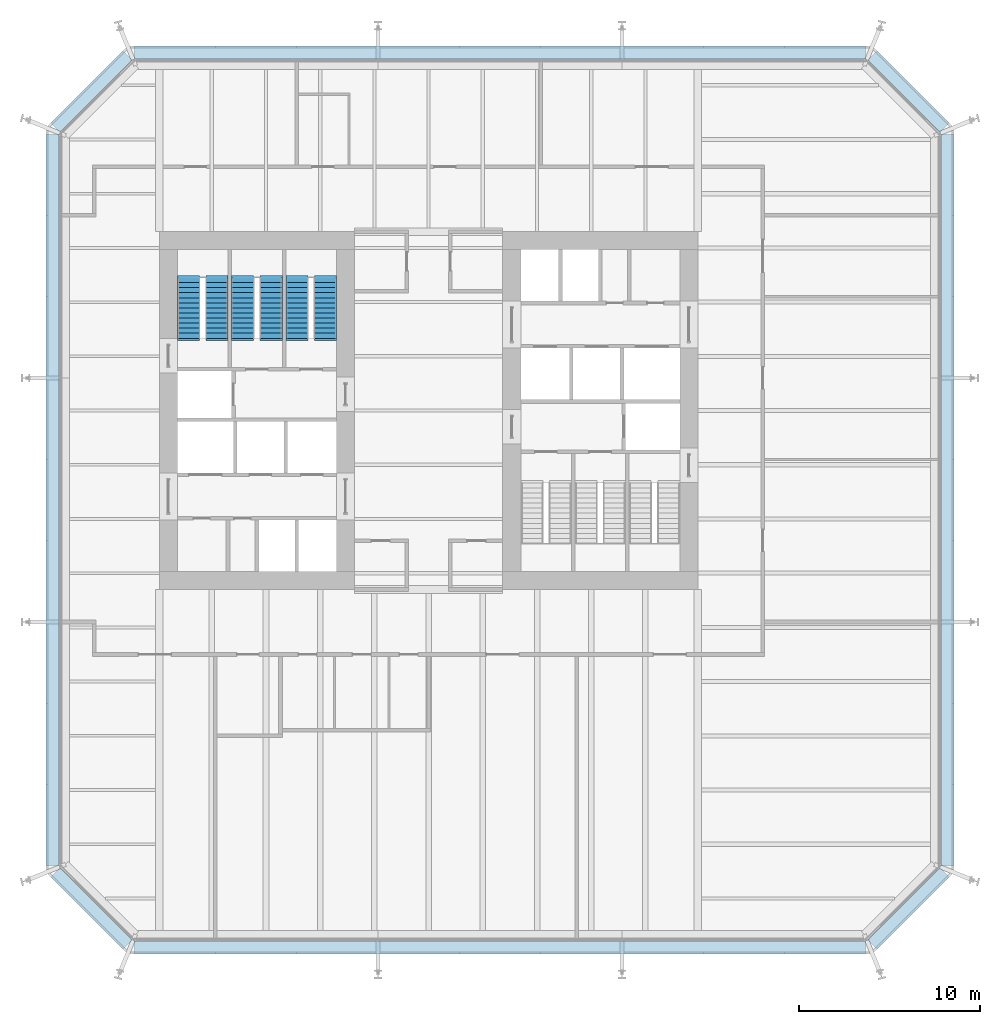
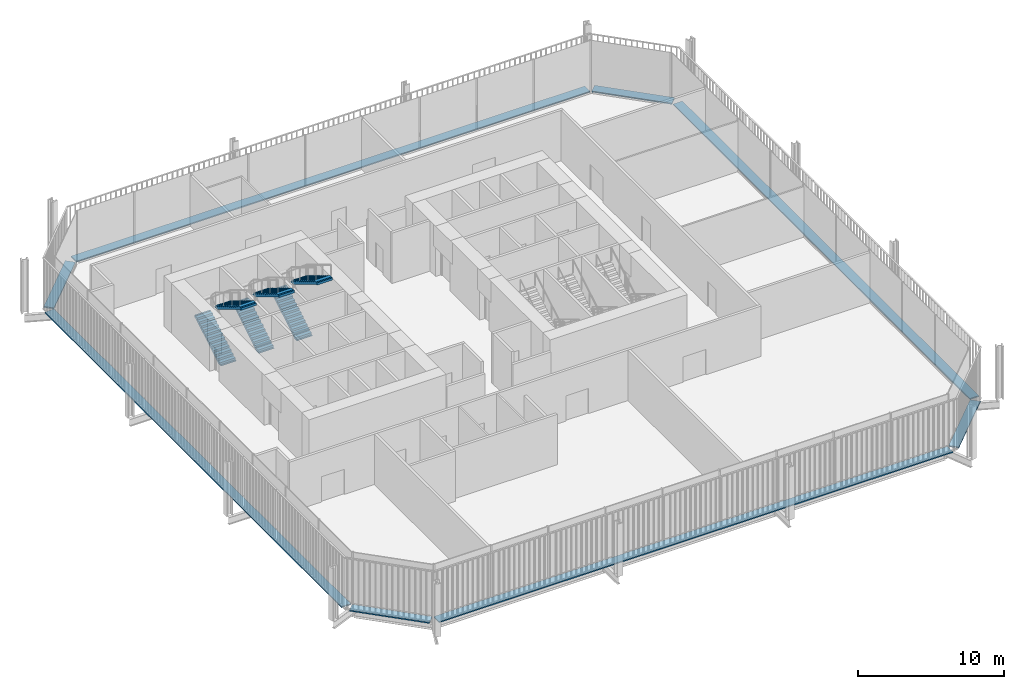
# One storey, part 19 of 20: 8 discrete accessories, 6 stair flights, 3 elements without a shape of their own.
"""IFC4 building model written with IfcOpenShell, lengths in metres."""

from ifc_helpers import new_model, si_unit, direction, frame, origin, origin_2d, place, context, subcontext, project, spatial, polyline, rectangle, outline, extrude, material, type_object, element, aggregate, save


model = new_model("IFC4")

# Units and contexts
model_context = context("Model", 3, precision=1e-05, world=origin(), true_north=direction((0.0, 1.0)))
body_context = subcontext(model_context, "Body", "Model", "MODEL_VIEW")
ifc_project = project(units=[si_unit("LENGTHUNIT", "METRE"), si_unit("AREAUNIT", "SQUARE_METRE"), si_unit("VOLUMEUNIT", "CUBIC_METRE"), si_unit("PLANEANGLEUNIT", "RADIAN"), si_unit("MASSUNIT", "GRAM", prefix="KILO")], contexts=[model_context])

# Site, building, storey
site_placement = place(None, origin())
site = spatial("IfcSite", under=ifc_project, at=site_placement, CompositionType="ELEMENT")
building_placement = place(site_placement, origin())
building = spatial("IfcBuilding", under=site, at=building_placement, Name="Millrace Tower", CompositionType="ELEMENT")
storey_placement = place(building_placement, frame((0.0, 0.0, 86.39990234375)))
storey = spatial("IfcBuildingStorey", under=building, at=storey_placement, Name="L19", CompositionType="ELEMENT", Elevation=86.39990234375)

# Stair, stair flights
ifc_material_1 = material(Name="Concrete C35", Category="concrete")
stair_type = type_object("IfcStairType", Name="Exit stair", PredefinedType="HALF_TURN_STAIR", material=ifc_material_1)
placement = place(storey_placement, origin())
stair_1 = element("IfcStair", 1, at=placement, inside=storey, type_object=stair_type, Name="Stair 1 W L19", PredefinedType="HALF_TURN_STAIR")
ifc_material_2 = material(Name="Concrete C35", Category="concrete")
stair_flight_type = type_object("IfcStairFlightType", Name="Exit stair flight", PredefinedType="STRAIGHT", material=ifc_material_2)
stair_flight_1_placement = place(storey_placement, frame((-13.2900390625, 4.0, 0.0), z_axis=(0.0, 0.0, 1.0), x_axis=(0.0, 1.0, 0.0)))
stair_flight_1 = element("IfcStairFlight", 2, at=stair_flight_1_placement, type_object=stair_flight_type, Name="ST12 flight 1", NumberOfRisers=13, NumberOfTreads=12, PredefinedType="STRAIGHT", RiserHeight=0.169230769, TreadLength=0.28, context=body_context, shape_type="SweptSolid", body=[
    extrude(outline(polyline([(-0.1201171875, -0.0400390625), (-0.1201171875, 0.0), (0.0, 0.0), (0.0, 0.169189453125), (0.280029296875, 0.169189453125), (0.280029296875, 0.33837890625), (0.56005859375, 0.33837890625), (0.56005859375, 0.5078125), (0.840087890625, 0.5078125), (0.840087890625, 0.677001953125), (1.1201171875, 0.677001953125), (1.1201171875, 0.84619140625), (1.39990234375, 0.84619140625), (1.39990234375, 1.015380859375), (1.679931640625, 1.015380859375), (1.679931640625, 1.1845703125), (1.9599609375, 1.1845703125), (1.9599609375, 1.353759765625), (2.239990234375, 1.353759765625), (2.239990234375, 1.523193359375), (2.52001953125, 1.523193359375), (2.52001953125, 1.6923828125), (2.800048828125, 1.6923828125), (2.800048828125, 1.861572265625), (3.080078125, 1.861572265625), (3.080078125, 2.03076171875), (3.360107421875, 2.03076171875), (3.360107421875, 2.05078125), (3.47998046875, 2.05078125), (3.47998046875, 1.855712890625), (3.360107421875, 1.855712890625), (0.289794921875, 0.0), (0.289794921875, -0.0400390625), (-0.1201171875, -0.0400390625)])), frame((0.0, 0.60986328125, 0.0), z_axis=(0.0, -1.0, 0.0), x_axis=(1.0, 0.0, 0.0)), (0.0, 0.0, 1.0), 1.219970703125),
])
stair_flight_2_placement = place(storey_placement, frame((-11.7099609375, 7.360107421875, 2.2001953125), z_axis=(0.0, 0.0, 1.0), x_axis=(0.0, -1.0, 0.0)))
stair_flight_2 = element("IfcStairFlight", 3, at=stair_flight_2_placement, type_object=stair_flight_type, Name="ST12 flight 2", NumberOfRisers=13, NumberOfTreads=12, PredefinedType="STRAIGHT", RiserHeight=0.169230769, TreadLength=0.28, context=body_context, shape_type="SweptSolid", body=[
    extrude(outline(polyline([(-0.1201171875, -0.0400390625), (-0.1201171875, 0.0), (0.0, 0.0), (0.0, 0.169189453125), (0.280029296875, 0.169189453125), (0.280029296875, 0.33837890625), (0.56005859375, 0.33837890625), (0.56005859375, 0.5078125), (0.840087890625, 0.5078125), (0.840087890625, 0.677001953125), (1.1201171875, 0.677001953125), (1.1201171875, 0.84619140625), (1.39990234375, 0.84619140625), (1.39990234375, 1.015380859375), (1.679931640625, 1.015380859375), (1.679931640625, 1.1845703125), (1.9599609375, 1.1845703125), (1.9599609375, 1.353759765625), (2.239990234375, 1.353759765625), (2.239990234375, 1.523193359375), (2.52001953125, 1.523193359375), (2.52001953125, 1.6923828125), (2.800048828125, 1.6923828125), (2.800048828125, 1.861572265625), (3.080078125, 1.861572265625), (3.080078125, 2.03076171875), (3.360107421875, 2.03076171875), (3.360107421875, 2.05078125), (3.47998046875, 2.05078125), (3.47998046875, 1.855712890625), (3.360107421875, 1.855712890625), (0.289794921875, 0.0), (0.289794921875, -0.0400390625), (-0.1201171875, -0.0400390625)])), frame((0.0, 0.60986328125, 0.0), z_axis=(0.0, -1.0, 0.0), x_axis=(1.0, 0.0, 0.0)), (0.0, 0.0, 1.0), 1.219970703125),
])
aggregate(stair_1, [stair_flight_1, stair_flight_2])

stair_2 = element("IfcStair", 4, at=placement, inside=storey, type_object=stair_type, Name="Stair 2 W L19", PredefinedType="HALF_TURN_STAIR")
stair_flight_3_placement = place(storey_placement, frame((-10.2900390625, 4.0, 0.0), z_axis=(0.0, 0.0, 1.0), x_axis=(0.0, 1.0, 0.0)))
stair_flight_3 = element("IfcStairFlight", 5, at=stair_flight_3_placement, type_object=stair_flight_type, Name="ST12 flight 1", NumberOfRisers=13, NumberOfTreads=12, PredefinedType="STRAIGHT", RiserHeight=0.169230769, TreadLength=0.28, context=body_context, shape_type="SweptSolid", body=[
    extrude(outline(polyline([(-0.1201171875, -0.0400390625), (-0.1201171875, 0.0), (0.0, 0.0), (0.0, 0.169189453125), (0.280029296875, 0.169189453125), (0.280029296875, 0.33837890625), (0.56005859375, 0.33837890625), (0.56005859375, 0.5078125), (0.840087890625, 0.5078125), (0.840087890625, 0.677001953125), (1.1201171875, 0.677001953125), (1.1201171875, 0.84619140625), (1.39990234375, 0.84619140625), (1.39990234375, 1.015380859375), (1.679931640625, 1.015380859375), (1.679931640625, 1.1845703125), (1.9599609375, 1.1845703125), (1.9599609375, 1.353759765625), (2.239990234375, 1.353759765625), (2.239990234375, 1.523193359375), (2.52001953125, 1.523193359375), (2.52001953125, 1.6923828125), (2.800048828125, 1.6923828125), (2.800048828125, 1.861572265625), (3.080078125, 1.861572265625), (3.080078125, 2.03076171875), (3.360107421875, 2.03076171875), (3.360107421875, 2.05078125), (3.47998046875, 2.05078125), (3.47998046875, 1.855712890625), (3.360107421875, 1.855712890625), (0.289794921875, 0.0), (0.289794921875, -0.0400390625), (-0.1201171875, -0.0400390625)])), frame((0.0, 0.60986328125, 0.0), z_axis=(0.0, -1.0, 0.0), x_axis=(1.0, 0.0, 0.0)), (0.0, 0.0, 1.0), 1.219970703125),
])
stair_flight_4_placement = place(storey_placement, frame((-8.7099609375, 7.360107421875, 2.2001953125), z_axis=(0.0, 0.0, 1.0), x_axis=(0.0, -1.0, 0.0)))
stair_flight_4 = element("IfcStairFlight", 6, at=stair_flight_4_placement, type_object=stair_flight_type, Name="ST12 flight 2", NumberOfRisers=13, NumberOfTreads=12, PredefinedType="STRAIGHT", RiserHeight=0.169230769, TreadLength=0.28, context=body_context, shape_type="SweptSolid", body=[
    extrude(outline(polyline([(-0.1201171875, -0.0400390625), (-0.1201171875, 0.0), (0.0, 0.0), (0.0, 0.169189453125), (0.280029296875, 0.169189453125), (0.280029296875, 0.33837890625), (0.56005859375, 0.33837890625), (0.56005859375, 0.5078125), (0.840087890625, 0.5078125), (0.840087890625, 0.677001953125), (1.1201171875, 0.677001953125), (1.1201171875, 0.84619140625), (1.39990234375, 0.84619140625), (1.39990234375, 1.015380859375), (1.679931640625, 1.015380859375), (1.679931640625, 1.1845703125), (1.9599609375, 1.1845703125), (1.9599609375, 1.353759765625), (2.239990234375, 1.353759765625), (2.239990234375, 1.523193359375), (2.52001953125, 1.523193359375), (2.52001953125, 1.6923828125), (2.800048828125, 1.6923828125), (2.800048828125, 1.861572265625), (3.080078125, 1.861572265625), (3.080078125, 2.03076171875), (3.360107421875, 2.03076171875), (3.360107421875, 2.05078125), (3.47998046875, 2.05078125), (3.47998046875, 1.855712890625), (3.360107421875, 1.855712890625), (0.289794921875, 0.0), (0.289794921875, -0.0400390625), (-0.1201171875, -0.0400390625)])), frame((0.0, 0.60986328125, 0.0), z_axis=(0.0, -1.0, 0.0), x_axis=(1.0, 0.0, 0.0)), (0.0, 0.0, 1.0), 1.219970703125),
])
aggregate(stair_2, [stair_flight_3, stair_flight_4])

stair_3 = element("IfcStair", 7, at=placement, inside=storey, type_object=stair_type, Name="Stair 3 W L19", PredefinedType="HALF_TURN_STAIR")
stair_flight_5_placement = place(storey_placement, frame((-7.2900390625, 4.0, 0.0), z_axis=(0.0, 0.0, 1.0), x_axis=(0.0, 1.0, 0.0)))
stair_flight_5 = element("IfcStairFlight", 8, at=stair_flight_5_placement, type_object=stair_flight_type, Name="ST12 flight 1", NumberOfRisers=13, NumberOfTreads=12, PredefinedType="STRAIGHT", RiserHeight=0.169230769, TreadLength=0.28, context=body_context, shape_type="SweptSolid", body=[
    extrude(outline(polyline([(-0.1201171875, -0.0400390625), (-0.1201171875, 0.0), (0.0, 0.0), (0.0, 0.169189453125), (0.280029296875, 0.169189453125), (0.280029296875, 0.33837890625), (0.56005859375, 0.33837890625), (0.56005859375, 0.5078125), (0.840087890625, 0.5078125), (0.840087890625, 0.677001953125), (1.1201171875, 0.677001953125), (1.1201171875, 0.84619140625), (1.39990234375, 0.84619140625), (1.39990234375, 1.015380859375), (1.679931640625, 1.015380859375), (1.679931640625, 1.1845703125), (1.9599609375, 1.1845703125), (1.9599609375, 1.353759765625), (2.239990234375, 1.353759765625), (2.239990234375, 1.523193359375), (2.52001953125, 1.523193359375), (2.52001953125, 1.6923828125), (2.800048828125, 1.6923828125), (2.800048828125, 1.861572265625), (3.080078125, 1.861572265625), (3.080078125, 2.03076171875), (3.360107421875, 2.03076171875), (3.360107421875, 2.05078125), (3.47998046875, 2.05078125), (3.47998046875, 1.855712890625), (3.360107421875, 1.855712890625), (0.289794921875, 0.0), (0.289794921875, -0.0400390625), (-0.1201171875, -0.0400390625)])), frame((0.0, 0.60986328125, 0.0), z_axis=(0.0, -1.0, 0.0), x_axis=(1.0, 0.0, 0.0)), (0.0, 0.0, 1.0), 1.219970703125),
])
stair_flight_6_placement = place(storey_placement, frame((-5.7099609375, 7.360107421875, 2.2001953125), z_axis=(0.0, 0.0, 1.0), x_axis=(0.0, -1.0, 0.0)))
stair_flight_6 = element("IfcStairFlight", 9, at=stair_flight_6_placement, type_object=stair_flight_type, Name="ST12 flight 2", NumberOfRisers=13, NumberOfTreads=12, PredefinedType="STRAIGHT", RiserHeight=0.169230769, TreadLength=0.28, context=body_context, shape_type="SweptSolid", body=[
    extrude(outline(polyline([(-0.1201171875, -0.0400390625), (-0.1201171875, 0.0), (0.0, 0.0), (0.0, 0.169189453125), (0.280029296875, 0.169189453125), (0.280029296875, 0.33837890625), (0.56005859375, 0.33837890625), (0.56005859375, 0.5078125), (0.840087890625, 0.5078125), (0.840087890625, 0.677001953125), (1.1201171875, 0.677001953125), (1.1201171875, 0.84619140625), (1.39990234375, 0.84619140625), (1.39990234375, 1.015380859375), (1.679931640625, 1.015380859375), (1.679931640625, 1.1845703125), (1.9599609375, 1.1845703125), (1.9599609375, 1.353759765625), (2.239990234375, 1.353759765625), (2.239990234375, 1.523193359375), (2.52001953125, 1.523193359375), (2.52001953125, 1.6923828125), (2.800048828125, 1.6923828125), (2.800048828125, 1.861572265625), (3.080078125, 1.861572265625), (3.080078125, 2.03076171875), (3.360107421875, 2.03076171875), (3.360107421875, 2.05078125), (3.47998046875, 2.05078125), (3.47998046875, 1.855712890625), (3.360107421875, 1.855712890625), (0.289794921875, 0.0), (0.289794921875, -0.0400390625), (-0.1201171875, -0.0400390625)])), frame((0.0, 0.60986328125, 0.0), z_axis=(0.0, -1.0, 0.0), x_axis=(1.0, 0.0, 0.0)), (0.0, 0.0, 1.0), 1.219970703125),
])
aggregate(stair_3, [stair_flight_5, stair_flight_6])

# Discrete accessories
ifc_material_3 = material(Name="Stainless steel ASTM A240 type 316", Category="steel")
discrete_accessory_type = type_object("IfcDiscreteAccessoryType", Name="Thermally broken screen support rail", PredefinedType="BRACKET", material=ifc_material_3)
discrete_accessory_1_placement = place(storey_placement, frame((-18.66064453125, -27.560546875, 0.0), z_axis=(0.0, 0.0, 1.0), x_axis=(0.707106781187, -0.707106781187, 0.0)))
element("IfcDiscreteAccessory", 10, at=discrete_accessory_1_placement, inside=storey, type_object=discrete_accessory_type, Name="Thermally broken screen support rail B-F01 L19 1", PredefinedType="BRACKET", context=body_context, shape_type="SweptSolid", body=[
    extrude(rectangle(XDim=5.65673828125, YDim=0.719970703125, at=origin_2d()), origin(), (0.0, 0.0, 1.0), 0.10009765625),
])
discrete_accessory_2_placement = place(storey_placement, frame((3.949951171875, -29.7099609375, 0.0), z_axis=(0.0, 0.0, 1.0), x_axis=(1.0, 0.0, 0.0)))
element("IfcDiscreteAccessory", 11, at=discrete_accessory_2_placement, inside=storey, type_object=discrete_accessory_type, Name="Thermally broken screen support rail B-F02 L19 1", PredefinedType="BRACKET", context=body_context, shape_type="SweptSolid", body=[
    extrude(rectangle(XDim=40.5, YDim=0.719970703125, at=origin_2d()), origin(), (0.0, 0.0, 1.0), 0.10009765625),
])
discrete_accessory_3_placement = place(storey_placement, frame((26.560546875, -27.560546875, 0.0), z_axis=(0.0, 0.0, 1.0), x_axis=(0.707106781187, 0.707106781187, 0.0)))
element("IfcDiscreteAccessory", 12, at=discrete_accessory_3_placement, inside=storey, type_object=discrete_accessory_type, Name="Thermally broken screen support rail B-F03 L19 1", PredefinedType="BRACKET", context=body_context, shape_type="SweptSolid", body=[
    extrude(rectangle(XDim=5.65673828125, YDim=0.719970703125, at=origin_2d()), origin(), (0.0, 0.0, 1.0), 0.10009765625),
])
discrete_accessory_4_placement = place(storey_placement, frame((28.7099609375, -4.949951171875, 0.0), z_axis=(0.0, 0.0, 1.0), x_axis=(0.0, 1.0, 0.0)))
element("IfcDiscreteAccessory", 13, at=discrete_accessory_4_placement, inside=storey, type_object=discrete_accessory_type, Name="Thermally broken screen support rail B-F04 L19 1", PredefinedType="BRACKET", context=body_context, shape_type="SweptSolid", body=[
    extrude(rectangle(XDim=40.5, YDim=0.719970703125, at=origin_2d()), origin(), (0.0, 0.0, 1.0), 0.10009765625),
])
discrete_accessory_5_placement = place(storey_placement, frame((26.560546875, 17.66064453125, 0.0), z_axis=(0.0, 0.0, 1.0), x_axis=(-0.707106781187, 0.707106781187, 0.0)))
element("IfcDiscreteAccessory", 14, at=discrete_accessory_5_placement, inside=storey, type_object=discrete_accessory_type, Name="Thermally broken screen support rail B-F05 L19 1", PredefinedType="BRACKET", context=body_context, shape_type="SweptSolid", body=[
    extrude(rectangle(XDim=5.65673828125, YDim=0.719970703125, at=origin_2d()), origin(), (0.0, 0.0, 1.0), 0.10009765625),
])
discrete_accessory_6_placement = place(storey_placement, frame((3.949951171875, 19.81005859375, 0.0), z_axis=(0.0, 0.0, 1.0), x_axis=(-1.0, 0.0, 0.0)))
element("IfcDiscreteAccessory", 15, at=discrete_accessory_6_placement, inside=storey, type_object=discrete_accessory_type, Name="Thermally broken screen support rail B-F06 L19 1", PredefinedType="BRACKET", context=body_context, shape_type="SweptSolid", body=[
    extrude(rectangle(XDim=40.5, YDim=0.719970703125, at=origin_2d()), origin(), (0.0, 0.0, 1.0), 0.10009765625),
])
discrete_accessory_7_placement = place(storey_placement, frame((-18.66064453125, 17.66064453125, 0.0), z_axis=(0.0, 0.0, 1.0), x_axis=(-0.707106781187, -0.707106781187, 0.0)))
element("IfcDiscreteAccessory", 16, at=discrete_accessory_7_placement, inside=storey, type_object=discrete_accessory_type, Name="Thermally broken screen support rail B-F07 L19 1", PredefinedType="BRACKET", context=body_context, shape_type="SweptSolid", body=[
    extrude(rectangle(XDim=5.65673828125, YDim=0.719970703125, at=origin_2d()), origin(), (0.0, 0.0, 1.0), 0.10009765625),
])
discrete_accessory_8_placement = place(storey_placement, frame((-20.81005859375, -4.949951171875, 0.0), z_axis=(0.0, 0.0, 1.0), x_axis=(0.0, -1.0, 0.0)))
element("IfcDiscreteAccessory", 17, at=discrete_accessory_8_placement, inside=storey, type_object=discrete_accessory_type, Name="Thermally broken screen support rail B-F08 L19 1", PredefinedType="BRACKET", context=body_context, shape_type="SweptSolid", body=[
    extrude(rectangle(XDim=40.5, YDim=0.719970703125, at=origin_2d()), origin(), (0.0, 0.0, 1.0), 0.10009765625),
])

save(model, "model.ifc")
